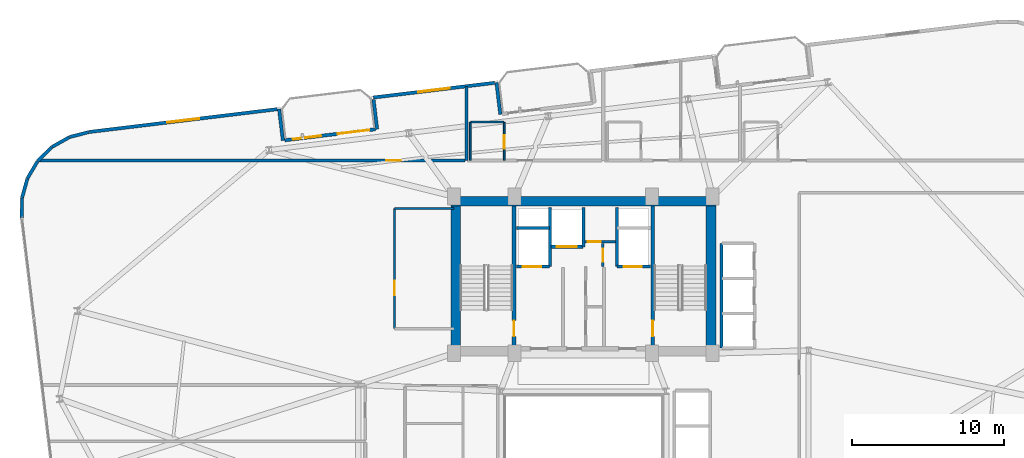
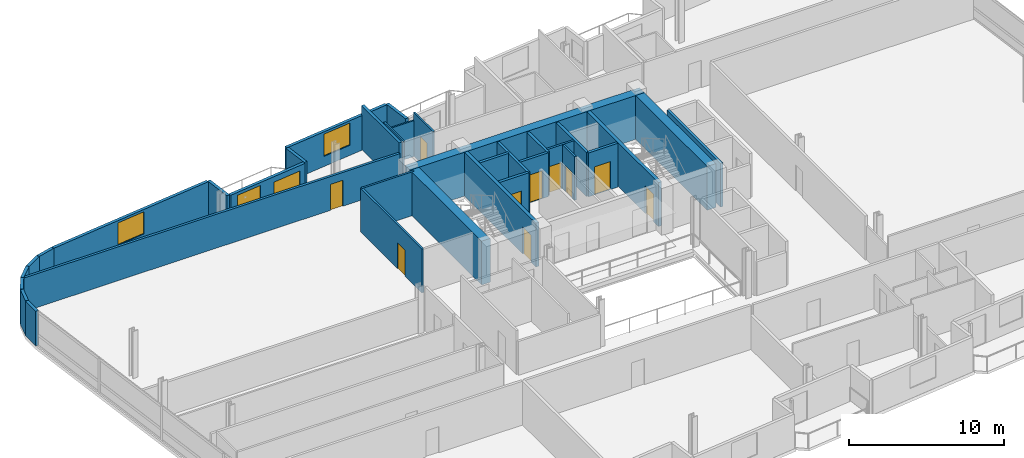
# One storey, part 17 of 23: 34 walls, 11 doors, 3 windows, 14 openings.
"""IFC4 building model written with IfcOpenShell, lengths in metres."""

from ifc_helpers import new_model, si_unit, direction, frame, frame_2d, origin, place, context, subcontext, project, spatial, rectangle, extrude, material, layer, layer_set, type_object, element, fill, save


model = new_model("IFC4")

# Units and contexts
model_context = context("Model", 3, precision=1e-05, world=origin(), true_north=direction((0.0, 1.0)))
body_context = subcontext(model_context, "Body", "Model", "MODEL_VIEW")
ifc_project = project(units=[si_unit("LENGTHUNIT", "METRE"), si_unit("AREAUNIT", "SQUARE_METRE"), si_unit("VOLUMEUNIT", "CUBIC_METRE"), si_unit("PLANEANGLEUNIT", "RADIAN"), si_unit("MASSUNIT", "GRAM", prefix="KILO")], contexts=[model_context])

# Site, building, storey
site_placement = place(None, origin())
site = spatial("IfcSite", under=ifc_project, at=site_placement, CompositionType="ELEMENT")
building_placement = place(site_placement, origin())
building = spatial("IfcBuilding", under=site, at=building_placement, Name="Varnelok Gate Tower", CompositionType="ELEMENT")
storey_placement = place(building_placement, frame((0.0, 0.0, 182.0)))
storey = spatial("IfcBuildingStorey", under=building, at=storey_placement, Name="L46", CompositionType="ELEMENT", Elevation=182.0)

# Wall, openings, door, window
ifc_material_1 = material(Name="Concrete C45/55", Category="concrete")
ifc_layer_1 = layer(ifc_material_1, 0.219970703125)
ifc_layer_set_1 = layer_set([ifc_layer_1], Name="Concrete C45/55")
wall_type_1 = type_object("IfcWallType", Name="EW-BALC-220", PredefinedType="SOLIDWALL", material=ifc_layer_set_1)
wall_1_placement = place(storey_placement, frame((19.556884765625, 42.7529296875, 0.0), z_axis=(0.0, 0.0, 1.0), x_axis=(0.992729951822, 0.120362962556, 0.0)))
wall_1 = element("IfcWall", 1, at=wall_1_placement, inside=storey, type_object=wall_type_1, Name="L46 North Terrace Envelope Wall 4", PredefinedType="SOLIDWALL", context=body_context, shape_type="SweptSolid", body=[
    extrude(rectangle(XDim=6.0, YDim=0.219970703125, at=frame_2d((3.0, 0.0))), origin(), (0.0, 0.0, 1.0), 2.72998046875),
])
opening_1_placement = place(wall_1_placement, frame((3.5, 0.0, 0.0)))
opening_1 = element("IfcOpeningElement", 2, at=opening_1_placement, cuts=wall_1, Name="Opening BD-2", PredefinedType="OPENING", context=body_context, shape_type="SweptSolid", body=[
    extrude(rectangle(XDim=2.10009765625, YDim=2.300048828125, at=frame_2d((1.050048828125, 1.14990234375))), frame((0.0, 0.119873046875, 0.0), z_axis=(0.0, -1.0, 0.0), x_axis=(1.0, 0.0, 0.0)), (0.0, 0.0, 1.0), 0.239990234375),
])
opening_2_placement = place(wall_1_placement, frame((0.550048828125, 0.0, 0.75)))
opening_2 = element("IfcOpeningElement", 3, at=opening_2_placement, cuts=wall_1, Name="Opening WN5", PredefinedType="OPENING", context=body_context, shape_type="SweptSolid", body=[
    extrude(rectangle(XDim=1.85009765625, YDim=1.75, at=frame_2d((0.925048828125, 0.875))), frame((0.0, 0.119873046875, 0.0), z_axis=(0.0, -1.0, 0.0), x_axis=(1.0, 0.0, 0.0)), (0.0, 0.0, 1.0), 0.239990234375),
])
ifc_material_2 = material(Name="Anodized Aluminum Alloy 6063-T6", Category="aluminium")
door_type_1 = type_object("IfcDoorType", Name="DR-EXT-SLID2100", OperationType="SLIDING_TO_LEFT", PredefinedType="DOOR", material=ifc_material_2)
door_1_placement = place(opening_1_placement, origin())
door_1 = element("IfcDoor", 4, at=door_1_placement, inside=storey, type_object=door_type_1, Name="L46 North Balcony Glazed Door 4", OperationType="SLIDING_TO_LEFT", OverallHeight=2.300048828125, OverallWidth=2.10009765625, PredefinedType="DOOR", context=body_context, shape_type="SweptSolid", body=[
    extrude(rectangle(XDim=2.10009765625, YDim=2.300048828125, at=frame_2d((1.050048828125, 1.14990234375))), frame((0.0, 0.02490234375, 0.0), z_axis=(0.0, -1.0, 0.0), x_axis=(1.0, 0.0, 0.0)), (0.0, 0.0, 1.0), 0.050048828125),
])
fill(opening_1, door_1)
ifc_material_3 = material(Name="Low-E Laminated Double Glazing IGU", Category="glass")
window_type_1 = type_object("IfcWindowType", Name="WN-RES-1850", PartitioningType="SINGLE_PANEL", PredefinedType="WINDOW", material=ifc_material_3)
window_1_placement = place(opening_2_placement, origin())
window_1 = element("IfcWindow", 5, at=window_1_placement, inside=storey, type_object=window_type_1, Name="L46 North Vision Window 4.1", OverallHeight=1.75, OverallWidth=1.85009765625, PartitioningType="SINGLE_PANEL", PredefinedType="WINDOW", context=body_context, shape_type="SweptSolid", body=[
    extrude(rectangle(XDim=1.85009765625, YDim=1.75, at=frame_2d((0.925048828125, 0.875))), frame((0.0, 0.030029296875, 0.0), z_axis=(0.0, -1.0, 0.0), x_axis=(1.0, 0.0, 0.0)), (0.0, 0.0, 1.0), 0.06005859375),
])
fill(opening_2, window_1)

# Wall
wall_2_placement = place(storey_placement, frame((33.734375, 44.46142578125, 0.0), z_axis=(0.0, 0.0, 1.0), x_axis=(-0.120327895535, 0.992734202874, 0.0)))
element("IfcWall", 6, at=wall_2_placement, inside=storey, type_object=wall_type_1, Name="L46 Perimeter Facade Closure Wall 34", PredefinedType="SOLIDWALL", context=body_context, shape_type="SweptSolid", body=[
    extrude(rectangle(XDim=2.099853515625, YDim=0.219970703125, at=frame_2d((1.0498046875, 0.0))), origin(), (0.0, 0.0, 1.0), 2.72998046875),
])

# Wall, opening, window
wall_3_placement = place(storey_placement, frame((33.357421875, 46.53125, 0.0), z_axis=(0.0, 0.0, 1.0), x_axis=(-0.992731032022, -0.120354052946, 0.0)))
wall_3 = element("IfcWall", 7, at=wall_3_placement, inside=storey, type_object=wall_type_1, Name="L46 Perimeter Facade Closure Wall 35", PredefinedType="SOLIDWALL", context=body_context, shape_type="SweptSolid", body=[
    extrude(rectangle(XDim=8.034912109375, YDim=0.219970703125, at=frame_2d((4.017578125, 0.0))), origin(), (0.0, 0.0, 1.0), 2.72998046875),
])
opening_3_placement = place(wall_3_placement, frame((2.967529296875, 0.0, 0.800048828125)))
opening_3 = element("IfcOpeningElement", 8, at=opening_3_placement, cuts=wall_3, Name="Opening WN4", PredefinedType="OPENING", context=body_context, shape_type="SweptSolid", body=[
    extrude(rectangle(XDim=2.10009765625, YDim=1.75, at=frame_2d((1.050048828125, 0.875))), frame((0.0, 0.119873046875, 0.0), z_axis=(0.0, -1.0, 0.0), x_axis=(1.0, 0.0, 0.0)), (0.0, 0.0, 1.0), 0.239990234375),
])
window_type_2 = type_object("IfcWindowType", Name="WN-SUI-2100", PartitioningType="SINGLE_PANEL", PredefinedType="WINDOW", material=ifc_material_3)
window_2_placement = place(opening_3_placement, origin())
window_2 = element("IfcWindow", 9, at=window_2_placement, inside=storey, type_object=window_type_2, Name="L46 Perimeter Vision Window 35", OverallHeight=1.75, OverallWidth=2.10009765625, PartitioningType="SINGLE_PANEL", PredefinedType="WINDOW", context=body_context, shape_type="SweptSolid", body=[
    extrude(rectangle(XDim=2.10009765625, YDim=1.75, at=frame_2d((1.050048828125, 0.875))), frame((0.0, 0.030029296875, 0.0), z_axis=(0.0, -1.0, 0.0), x_axis=(1.0, 0.0, 0.0)), (0.0, 0.0, 1.0), 0.06005859375),
])
fill(opening_3, window_2)

# Walls
wall_4_placement = place(storey_placement, frame((25.39599609375, 45.440185546875, 0.0), z_axis=(0.0, 0.0, 1.0), x_axis=(0.120275992932, -0.992740492538, 0.0)))
element("IfcWall", 10, at=wall_4_placement, inside=storey, type_object=wall_type_1, Name="L46 Perimeter Facade Closure Wall 36", PredefinedType="SOLIDWALL", context=body_context, shape_type="SweptSolid", body=[
    extrude(rectangle(XDim=1.97509765625, YDim=0.219970703125, at=frame_2d((0.987548828125, 0.0))), origin(), (0.0, 0.0, 1.0), 2.72998046875),
])
wall_5_placement = place(storey_placement, frame((19.43896484375, 42.728515625, 0.0), z_axis=(0.0, 0.0, 1.0), x_axis=(-0.120327895535, 0.992734202874, 0.0)))
element("IfcWall", 11, at=wall_5_placement, inside=storey, type_object=wall_type_1, Name="L46 Perimeter Facade Closure Wall 37", PredefinedType="SOLIDWALL", context=body_context, shape_type="SweptSolid", body=[
    extrude(rectangle(XDim=2.099853515625, YDim=0.219970703125, at=frame_2d((1.0498046875, 0.0))), origin(), (0.0, 0.0, 1.0), 2.72998046875),
])

# Wall, opening, window
wall_6_placement = place(storey_placement, frame((19.06201171875, 44.798095703125, 0.0), z_axis=(0.0, 0.0, 1.0), x_axis=(-0.992733569027, -0.120333124809, 0.0)))
wall_6 = element("IfcWall", 12, at=wall_6_placement, inside=storey, type_object=wall_type_1, Name="L46 Perimeter Facade Closure Wall 38", PredefinedType="SOLIDWALL", context=body_context, shape_type="SweptSolid", body=[
    extrude(rectangle(XDim=12.447021484375, YDim=0.219970703125, at=frame_2d((6.2236328125, 0.0))), origin(), (0.0, 0.0, 1.0), 2.72998046875),
])
opening_4_placement = place(wall_6_placement, frame((5.173583984375, 0.0, 0.800048828125)))
opening_4 = element("IfcOpeningElement", 13, at=opening_4_placement, cuts=wall_6, Name="Opening WN4", PredefinedType="OPENING", context=body_context, shape_type="SweptSolid", body=[
    extrude(rectangle(XDim=2.10009765625, YDim=1.75, at=frame_2d((1.050048828125, 0.875))), frame((0.0, 0.119873046875, 0.0), z_axis=(0.0, -1.0, 0.0), x_axis=(1.0, 0.0, 0.0)), (0.0, 0.0, 1.0), 0.239990234375),
])
window_3_placement = place(opening_4_placement, origin())
window_3 = element("IfcWindow", 14, at=window_3_placement, inside=storey, type_object=window_type_2, Name="L46 Perimeter Vision Window 38", OverallHeight=1.75, OverallWidth=2.10009765625, PartitioningType="SINGLE_PANEL", PredefinedType="WINDOW", context=body_context, shape_type="SweptSolid", body=[
    extrude(rectangle(XDim=2.10009765625, YDim=1.75, at=frame_2d((1.050048828125, 0.875))), frame((0.0, 0.030029296875, 0.0), z_axis=(0.0, -1.0, 0.0), x_axis=(1.0, 0.0, 0.0)), (0.0, 0.0, 1.0), 0.06005859375),
])
fill(opening_4, window_3)

# Walls
wall_7_placement = place(storey_placement, frame((6.68115234375, 43.294189453125, 0.0), z_axis=(0.0, 0.0, 1.0), x_axis=(-0.968496788899, -0.2490260426, 0.0)))
element("IfcWall", 15, at=wall_7_placement, inside=storey, type_object=wall_type_1, Name="L46 Perimeter Facade Closure Wall 39", PredefinedType="SOLIDWALL", context=body_context, shape_type="SweptSolid", body=[
    extrude(rectangle(XDim=1.308837890625, YDim=0.219970703125, at=frame_2d((0.654296875, 0.0))), origin(), (0.0, 0.0, 1.0), 2.72998046875),
])
for number, where, z_axis, x_axis, name in (
    (16, (5.391845703125, 42.9560546875, 0.0), (0.0, 0.0, 1.0), (-0.87105877335, -0.491178799797, 0.0), "L46 Perimeter Facade Closure Wall 40"),
    (17, (4.24072265625, 42.299560546875, 0.0), (0.0, 0.0, 1.0), (-0.714389219205, -0.699748557329, 0.0), "L46 Perimeter Facade Closure Wall 41"),
):
    element("IfcWall", number, at=place(storey_placement, frame(where, z_axis=z_axis, x_axis=x_axis)), inside=storey, type_object=wall_type_1, Name=name, PredefinedType="SOLIDWALL", context=body_context, shape_type="SweptSolid", body=[
        extrude(rectangle(XDim=1.30078125, YDim=0.219970703125, at=frame_2d((0.650390625, 0.0))), origin(), (0.0, 0.0, 1.0), 2.72998046875),
    ])
wall_8_placement = place(storey_placement, frame((3.298583984375, 41.367919921875, 0.0), z_axis=(0.0, 0.0, 1.0), x_axis=(-0.508716668029, -0.860933999601, 0.0)))
element("IfcWall", 18, at=wall_8_placement, inside=storey, type_object=wall_type_1, Name="L46 Perimeter Facade Closure Wall 42", PredefinedType="SOLIDWALL", context=body_context, shape_type="SweptSolid", body=[
    extrude(rectangle(XDim=1.301025390625, YDim=0.219970703125, at=frame_2d((0.650390625, 0.0))), origin(), (0.0, 0.0, 1.0), 2.72998046875),
])
for number, where, z_axis, x_axis, name in (
    (19, (2.630126953125, 40.223876953125, 0.0), (0.0, 0.0, 1.0), (-0.26876657226, -0.963205341366, 0.0), "L46 Perimeter Facade Closure Wall 43"),
    (20, (2.2802734375, 38.94580078125, 0.0), (0.0, 0.0, 1.0), (-0.01013461463, -0.999948643474, 0.0), "L46 Perimeter Facade Closure Wall 44"),
):
    element("IfcWall", number, at=place(storey_placement, frame(where, z_axis=z_axis, x_axis=x_axis)), inside=storey, type_object=wall_type_1, Name=name, PredefinedType="SOLIDWALL", context=body_context, shape_type="SweptSolid", body=[
        extrude(rectangle(XDim=1.30078125, YDim=0.219970703125, at=frame_2d((0.650390625, 0.0))), origin(), (0.0, 0.0, 1.0), 2.72998046875),
    ])

# Wall, opening, door
ifc_material_4 = material(Name="Gypsum Plasterboard Acoustic Partition", Category="gypsum")
ifc_layer_2 = layer(ifc_material_4, 0.179931640625)
ifc_layer_set_2 = layer_set([ifc_layer_2], Name="Gypsum Plasterboard Acoustic Partition")
wall_type_2 = type_object("IfcWallType", Name="PW-CORR-180", PredefinedType="PARTITIONING", material=ifc_layer_set_2)
wall_9_placement = place(storey_placement, frame((3.39306640625, 41.429931640625, 0.0), z_axis=(0.0, 0.0, 1.0), x_axis=(1.0, 0.0, 0.0)))
wall_9 = element("IfcWall", 21, at=wall_9_placement, inside=storey, type_object=wall_type_2, Name="Interior Partition", PredefinedType="PARTITIONING", context=body_context, shape_type="SweptSolid", body=[
    extrude(rectangle(XDim=28.02685546875, YDim=0.179931640625, at=frame_2d((14.013427734375, 0.0))), origin(), (0.0, 0.0, 1.0), 2.662109375),
])
opening_5_placement = place(wall_9_placement, frame((22.83203125, 0.0, 0.0)))
opening_5 = element("IfcOpeningElement", 22, at=opening_5_placement, cuts=wall_9, Name="Opening D-I2", PredefinedType="OPENING", context=body_context, shape_type="SweptSolid", body=[
    extrude(rectangle(XDim=0.949951171875, YDim=2.050048828125, at=frame_2d((0.47509765625, 1.02490234375))), frame((0.0, 0.099853515625, 0.0), z_axis=(0.0, -1.0, 0.0), x_axis=(1.0, 0.0, 0.0)), (0.0, 0.0, 1.0), 0.199951171875),
])
ifc_material_5 = material(Name="Engineered Hardwood Timber", Category="wood")
door_type_2 = type_object("IfcDoorType", Name="DR-INT-950", OperationType="NOTDEFINED", PredefinedType="DOOR", material=ifc_material_5)
door_2_placement = place(opening_5_placement, origin())
door_2 = element("IfcDoor", 23, at=door_2_placement, inside=storey, type_object=door_type_2, Name="L46 Sky Library Door", OperationType="SINGLE_SWING_LEFT", OverallHeight=2.050048828125, OverallWidth=0.949951171875, PredefinedType="DOOR", context=body_context, shape_type="SweptSolid", body=[
    extrude(rectangle(XDim=0.949951171875, YDim=2.050048828125, at=frame_2d((0.47509765625, 1.02490234375))), frame((0.0, 0.02490234375, 0.0), z_axis=(0.0, -1.0, 0.0), x_axis=(1.0, 0.0, 0.0)), (0.0, 0.0, 1.0), 0.050048828125),
])
fill(opening_5, door_2)

# Wall
ifc_layer_3 = layer(ifc_material_4, 0.114990234375)
ifc_layer_set_3 = layer_set([ifc_layer_3], Name="Gypsum Plasterboard Acoustic Partition")
wall_type_3 = type_object("IfcWallType", Name="PW-ENS-125", PredefinedType="PARTITIONING", material=ifc_layer_set_3)
wall_10_placement = place(storey_placement, frame((31.800048828125, 43.949951171875, 0.0), z_axis=(0.0, 0.0, 1.0), x_axis=(1.0, 0.0, 0.0)))
element("IfcWall", 24, at=wall_10_placement, inside=storey, type_object=wall_type_3, Name="Interior Partition", PredefinedType="PARTITIONING", context=body_context, shape_type="SweptSolid", body=[
    extrude(rectangle(XDim=2.14990234375, YDim=0.114990234375, at=frame_2d((1.074951171875, 0.0))), origin(), (0.0, 0.0, 1.0), 2.823974609375),
])

# Wall, opening, door
wall_11_placement = place(storey_placement, frame((33.989990234375, 41.429931640625, 0.0), z_axis=(0.0, 0.0, 1.0), x_axis=(0.0, 1.0, 0.0)))
wall_11 = element("IfcWall", 25, at=wall_11_placement, inside=storey, type_object=wall_type_3, Name="Interior Partition", PredefinedType="PARTITIONING", context=body_context, shape_type="SweptSolid", body=[
    extrude(rectangle(XDim=2.52001953125, YDim=0.114990234375, at=frame_2d((1.260009765625, 0.0))), origin(), (0.0, 0.0, 1.0), 3.449951171875),
])
opening_6_placement = place(wall_11_placement, frame((0.760009765625, 0.0, 0.0)))
opening_6 = element("IfcOpeningElement", 26, at=opening_6_placement, cuts=wall_11, Name="Opening D-WC", PredefinedType="OPENING", context=body_context, shape_type="SweptSolid", body=[
    extrude(rectangle(XDim=0.89990234375, YDim=2.050048828125, at=frame_2d((0.449951171875, 1.02490234375))), frame((0.0, 0.0673828125, 0.0), z_axis=(0.0, -1.0, 0.0), x_axis=(1.0, 0.0, 0.0)), (0.0, 0.0, 1.0), 0.135009765625),
])
door_type_3 = type_object("IfcDoorType", Name="DR-BATH-900", OperationType="NOTDEFINED", PredefinedType="DOOR", material=ifc_material_5)
door_3_placement = place(opening_6_placement, origin())
door_3 = element("IfcDoor", 27, at=door_3_placement, inside=storey, type_object=door_type_3, Name="L46 North En-Suite 06 Door", OperationType="SINGLE_SWING_RIGHT", OverallHeight=2.050048828125, OverallWidth=0.89990234375, PredefinedType="DOOR", context=body_context, shape_type="SweptSolid", body=[
    extrude(rectangle(XDim=0.89990234375, YDim=2.050048828125, at=frame_2d((0.449951171875, 1.02490234375))), frame((0.0, 0.02490234375, 0.0), z_axis=(0.0, -1.0, 0.0), x_axis=(1.0, 0.0, 0.0)), (0.0, 0.0, 1.0), 0.050048828125),
])
fill(opening_6, door_3)

# Wall
wall_12_placement = place(storey_placement, frame((31.760009765625, 41.429931640625, 0.0), z_axis=(0.0, 0.0, 1.0), x_axis=(0.0, 1.0, 0.0)))
element("IfcWall", 28, at=wall_12_placement, inside=storey, type_object=wall_type_3, Name="Interior Partition", PredefinedType="PARTITIONING", context=body_context, shape_type="SweptSolid", body=[
    extrude(rectangle(XDim=2.52001953125, YDim=0.114990234375, at=frame_2d((1.260009765625, 0.0))), origin(), (0.0, 0.0, 1.0), 3.449951171875),
])

# Wall, opening, door
ifc_layer_4 = layer(ifc_material_4, 0.14990234375)
ifc_layer_set_4 = layer_set([ifc_layer_4], Name="Gypsum Plasterboard Acoustic Partition")
wall_type_4 = type_object("IfcWallType", Name="PW-PART-150", PredefinedType="PARTITIONING", material=ifc_layer_set_4)
wall_13_placement = place(storey_placement, frame((39.300048828125, 36.080078125, 0.0), z_axis=(0.0, 0.0, 1.0), x_axis=(1.0, 0.0, 0.0)))
wall_13 = element("IfcWall", 29, at=wall_13_placement, inside=storey, type_object=wall_type_4, Name="L46 Electrical Closet South Wall", PredefinedType="PARTITIONING", context=body_context, shape_type="SweptSolid", body=[
    extrude(rectangle(XDim=2.02001953125, YDim=0.14990234375, at=frame_2d((1.010009765625, 0.0))), origin(), (0.0, 0.0, 1.0), 3.449951171875),
])
opening_7_placement = place(wall_13_placement, frame((0.179931640625, 0.0, 0.0)))
opening_7 = element("IfcOpeningElement", 30, at=opening_7_placement, cuts=wall_13, Name="Opening D-RS", PredefinedType="OPENING", context=body_context, shape_type="SweptSolid", body=[
    extrude(rectangle(XDim=0.85009765625, YDim=2.050048828125, at=frame_2d((0.425048828125, 1.02490234375))), frame((0.0, 0.0849609375, 0.0), z_axis=(0.0, -1.0, 0.0), x_axis=(1.0, 0.0, 0.0)), (0.0, 0.0, 1.0), 0.169921875),
])
ifc_material_6 = material(Name="Galvanized Steel Grade S350GD", Category="steel")
door_type_4 = type_object("IfcDoorType", Name="DR-RISER-850", OperationType="NOTDEFINED", PredefinedType="DOOR", material=ifc_material_6)
door_4_placement = place(opening_7_placement, origin())
door_4 = element("IfcDoor", 31, at=door_4_placement, inside=storey, type_object=door_type_4, Name="L46 Electrical Closet Door", OperationType="SINGLE_SWING_RIGHT", OverallHeight=2.050048828125, OverallWidth=0.85009765625, PredefinedType="DOOR", context=body_context, shape_type="SweptSolid", body=[
    extrude(rectangle(XDim=0.85009765625, YDim=2.050048828125, at=frame_2d((0.425048828125, 1.02490234375))), frame((0.0, 0.02490234375, 0.0), z_axis=(0.0, -1.0, 0.0), x_axis=(1.0, 0.0, 0.0)), (0.0, 0.0, 1.0), 0.050048828125),
])
fill(opening_7, door_4)

wall_14_placement = place(storey_placement, frame((40.47998046875, 34.43994140625, 0.0), z_axis=(0.0, 0.0, 1.0), x_axis=(0.0, 1.0, 0.0)))
wall_14 = element("IfcWall", 32, at=wall_14_placement, inside=storey, type_object=wall_type_4, Name="L46 Telecoms Closet West Wall", PredefinedType="PARTITIONING", context=body_context, shape_type="SweptSolid", body=[
    extrude(rectangle(XDim=1.52001953125, YDim=0.14990234375, at=frame_2d((0.760009765625, 0.0))), origin(), (0.0, 0.0, 1.0), 3.449951171875),
])
opening_8_placement = place(wall_14_placement, frame((0.320068359375, 0.0, 0.0)))
opening_8 = element("IfcOpeningElement", 33, at=opening_8_placement, cuts=wall_14, Name="Opening D-RS", PredefinedType="OPENING", context=body_context, shape_type="SweptSolid", body=[
    extrude(rectangle(XDim=0.85009765625, YDim=2.050048828125, at=frame_2d((0.425048828125, 1.02490234375))), frame((0.0, 0.0849609375, 0.0), z_axis=(0.0, -1.0, 0.0), x_axis=(1.0, 0.0, 0.0)), (0.0, 0.0, 1.0), 0.169921875),
])
door_5_placement = place(opening_8_placement, origin())
door_5 = element("IfcDoor", 34, at=door_5_placement, inside=storey, type_object=door_type_4, Name="L46 Telecoms Closet Door", OperationType="SINGLE_SWING_LEFT", OverallHeight=2.050048828125, OverallWidth=0.85009765625, PredefinedType="DOOR", context=body_context, shape_type="SweptSolid", body=[
    extrude(rectangle(XDim=0.85009765625, YDim=2.050048828125, at=frame_2d((0.425048828125, 1.02490234375))), frame((0.0, 0.02490234375, 0.0), z_axis=(0.0, -1.0, 0.0), x_axis=(1.0, 0.0, 0.0)), (0.0, 0.0, 1.0), 0.050048828125),
])
fill(opening_8, door_5)

# Wall
wall_15_placement = place(storey_placement, frame((26.780029296875, 38.260009765625, 0.0), z_axis=(0.0, 0.0, 1.0), x_axis=(1.0, 0.0, 0.0)))
element("IfcWall", 35, at=wall_15_placement, inside=storey, type_object=wall_type_4, Name="Interior Partition", PredefinedType="PARTITIONING", context=body_context, shape_type="SweptSolid", body=[
    extrude(rectangle(XDim=3.89990234375, YDim=0.14990234375, at=frame_2d((1.949951171875, 0.0))), origin(), (0.0, 0.0, 1.0), 3.449951171875),
])

# Wall, opening, door
wall_16_placement = place(storey_placement, frame((26.780029296875, 30.360107421875, 0.0), z_axis=(0.0, 0.0, 1.0), x_axis=(0.0, 1.0, 0.0)))
wall_16 = element("IfcWall", 36, at=wall_16_placement, inside=storey, type_object=wall_type_4, Name="Interior Partition", PredefinedType="PARTITIONING", context=body_context, shape_type="SweptSolid", body=[
    extrude(rectangle(XDim=7.89990234375, YDim=0.14990234375, at=frame_2d((3.949951171875, 0.0))), origin(), (0.0, 0.0, 1.0), 3.449951171875),
])
opening_9_placement = place(wall_16_placement, frame((2.199951171875, 0.0, 0.0)))
opening_9 = element("IfcOpeningElement", 37, at=opening_9_placement, cuts=wall_16, Name="Opening D-I2", PredefinedType="OPENING", context=body_context, shape_type="SweptSolid", body=[
    extrude(rectangle(XDim=0.949951171875, YDim=2.050048828125, at=frame_2d((0.47509765625, 1.02490234375))), frame((0.0, 0.0849609375, 0.0), z_axis=(0.0, -1.0, 0.0), x_axis=(1.0, 0.0, 0.0)), (0.0, 0.0, 1.0), 0.169921875),
])
door_6_placement = place(opening_9_placement, origin())
door_6 = element("IfcDoor", 38, at=door_6_placement, inside=storey, type_object=door_type_2, Name="L46 Core Valet Door", OperationType="SINGLE_SWING_RIGHT", OverallHeight=2.050048828125, OverallWidth=0.949951171875, PredefinedType="DOOR", context=body_context, shape_type="SweptSolid", body=[
    extrude(rectangle(XDim=0.949951171875, YDim=2.050048828125, at=frame_2d((0.47509765625, 1.02490234375))), frame((0.0, 0.02490234375, 0.0), z_axis=(0.0, -1.0, 0.0), x_axis=(1.0, 0.0, 0.0)), (0.0, 0.0, 1.0), 0.050048828125),
])
fill(opening_9, door_6)

# Wall
ifc_layer_5 = layer(ifc_material_4, 0.205078125)
ifc_layer_set_5 = layer_set([ifc_layer_5], Name="Gypsum Plasterboard Acoustic Partition")
wall_type_5 = type_object("IfcWallType", Name="PW-PARTY-200", PredefinedType="PARTITIONING", material=ifc_layer_set_5)
wall_17_placement = place(storey_placement, frame((31.5, 41.429931640625, 0.0), z_axis=(0.0, 0.0, 1.0), x_axis=(0.0, 1.0, 0.0)))
element("IfcWall", 39, at=wall_17_placement, inside=storey, type_object=wall_type_5, Name="L46 North Party Wall 1", PredefinedType="PARTITIONING", context=body_context, shape_type="SweptSolid", body=[
    extrude(rectangle(XDim=4.85595703125, YDim=0.205078125, at=frame_2d((2.427978515625, 0.0))), origin(), (0.0, 0.0, 1.0), 3.449951171875),
])

# Wall, opening, door
ifc_material_7 = material(Name="Concrete C35/45", Category="concrete")
ifc_layer_6 = layer(ifc_material_7, 0.199951171875)
ifc_layer_set_6 = layer_set([ifc_layer_6], Name="Concrete C35/45")
wall_type_6 = type_object("IfcWallType", Name="PW-SHAFT-200", PredefinedType="PARTITIONING", material=ifc_layer_set_6)
wall_18_placement = place(storey_placement, frame((34.800048828125, 34.43994140625, 0.0), z_axis=(0.0, 0.0, 1.0), x_axis=(1.0, 0.0, 0.0)))
wall_18 = element("IfcWall", 40, at=wall_18_placement, inside=storey, type_object=wall_type_6, Name="L46 FF1 Shaft Front Wall", PredefinedType="PARTITIONING", context=body_context, shape_type="SweptSolid", body=[
    extrude(rectangle(XDim=2.179931640625, YDim=0.199951171875, at=frame_2d((1.08984375, 0.0))), origin(), (0.0, 0.0, 1.0), 3.449951171875),
])
opening_10_placement = place(wall_18_placement, frame((0.419921875, 0.0, 0.0)))
opening_10 = element("IfcOpeningElement", 41, at=opening_10_placement, cuts=wall_18, Name="Opening LD-FF1", PredefinedType="OPENING", context=body_context, shape_type="SweptSolid", body=[
    extrude(rectangle(XDim=1.199951171875, YDim=2.199951171875, at=frame_2d((0.60009765625, 1.10009765625))), frame((0.0, 0.10986328125, 0.0), z_axis=(0.0, -1.0, 0.0), x_axis=(1.0, 0.0, 0.0)), (0.0, 0.0, 1.0), 0.219970703125),
])
door_type_5 = type_object("IfcDoorType", Name="DR-LIFT-FF1200", OperationType="SLIDING_TO_LEFT", PredefinedType="DOOR", material=ifc_material_6)
door_7_placement = place(opening_10_placement, origin())
door_7 = element("IfcDoor", 42, at=door_7_placement, inside=storey, type_object=door_type_5, Name="L46 Firefighting Lift Landing Door LD-FF1", OperationType="SLIDING_TO_LEFT", OverallHeight=2.199951171875, OverallWidth=1.199951171875, PredefinedType="DOOR", context=body_context, shape_type="SweptSolid", body=[
    extrude(rectangle(XDim=1.199951171875, YDim=2.199951171875, at=frame_2d((0.60009765625, 1.10009765625))), frame((0.0, 0.02490234375, 0.0), z_axis=(0.0, -1.0, 0.0), x_axis=(1.0, 0.0, 0.0)), (0.0, 0.0, 1.0), 0.050048828125),
])
fill(opening_10, door_7)

# Walls
wall_19_placement = place(storey_placement, frame((34.800048828125, 36.97998046875, 0.0), z_axis=(0.0, 0.0, 1.0), x_axis=(1.0, 0.0, 0.0)))
element("IfcWall", 43, at=wall_19_placement, inside=storey, type_object=wall_type_6, Name="L46 FF1 Shaft North Wall", PredefinedType="PARTITIONING", context=body_context, shape_type="SweptSolid", body=[
    extrude(rectangle(XDim=2.179931640625, YDim=0.199951171875, at=frame_2d((1.08984375, 0.0))), origin(), (0.0, 0.0, 1.0), 3.449951171875),
])
wall_20_placement = place(storey_placement, frame((37.0, 34.43994140625, 0.0), z_axis=(0.0, 0.0, 1.0), x_axis=(0.0, 1.0, 0.0)))
element("IfcWall", 44, at=wall_20_placement, inside=storey, type_object=wall_type_6, Name="L46 FF1 Shaft Side Wall", PredefinedType="PARTITIONING", context=body_context, shape_type="SweptSolid", body=[
    extrude(rectangle(XDim=3.900146484375, YDim=0.199951171875, at=frame_2d((1.9501953125, 0.0))), origin(), (0.0, 0.0, 1.0), 3.449951171875),
])

# Wall, opening, door
wall_21_placement = place(storey_placement, frame((41.419921875, 34.43994140625, 0.0), z_axis=(0.0, 0.0, 1.0), x_axis=(1.0, 0.0, 0.0)))
wall_21 = element("IfcWall", 45, at=wall_21_placement, inside=storey, type_object=wall_type_6, Name="L46 FF2 Shaft Front Wall", PredefinedType="PARTITIONING", context=body_context, shape_type="SweptSolid", body=[
    extrude(rectangle(XDim=2.18017578125, YDim=0.199951171875, at=frame_2d((1.090087890625, 0.0))), origin(), (0.0, 0.0, 1.0), 3.449951171875),
])
opening_11_placement = place(wall_21_placement, frame((0.419921875, 0.0, 0.0)))
opening_11 = element("IfcOpeningElement", 46, at=opening_11_placement, cuts=wall_21, Name="Opening LD-FF2", PredefinedType="OPENING", context=body_context, shape_type="SweptSolid", body=[
    extrude(rectangle(XDim=1.199951171875, YDim=2.199951171875, at=frame_2d((0.60009765625, 1.10009765625))), frame((0.0, 0.10986328125, 0.0), z_axis=(0.0, -1.0, 0.0), x_axis=(1.0, 0.0, 0.0)), (0.0, 0.0, 1.0), 0.219970703125),
])
door_8_placement = place(opening_11_placement, origin())
door_8 = element("IfcDoor", 47, at=door_8_placement, inside=storey, type_object=door_type_5, Name="L46 Firefighting Lift Landing Door LD-FF2", OperationType="SLIDING_TO_LEFT", OverallHeight=2.199951171875, OverallWidth=1.199951171875, PredefinedType="DOOR", context=body_context, shape_type="SweptSolid", body=[
    extrude(rectangle(XDim=1.199951171875, YDim=2.199951171875, at=frame_2d((0.60009765625, 1.10009765625))), frame((0.0, 0.02490234375, 0.0), z_axis=(0.0, -1.0, 0.0), x_axis=(1.0, 0.0, 0.0)), (0.0, 0.0, 1.0), 0.050048828125),
])
fill(opening_11, door_8)

# Wall
wall_22_placement = place(storey_placement, frame((41.39990234375, 34.43994140625, 0.0), z_axis=(0.0, 0.0, 1.0), x_axis=(0.0, 1.0, 0.0)))
element("IfcWall", 48, at=wall_22_placement, inside=storey, type_object=wall_type_6, Name="L46 FF2 Shaft Side Wall", PredefinedType="PARTITIONING", context=body_context, shape_type="SweptSolid", body=[
    extrude(rectangle(XDim=3.900146484375, YDim=0.199951171875, at=frame_2d((1.9501953125, 0.0))), origin(), (0.0, 0.0, 1.0), 3.449951171875),
])

# Wall, opening, door
wall_23_placement = place(storey_placement, frame((37.06005859375, 35.75, 0.0), z_axis=(0.0, 0.0, 1.0), x_axis=(1.0, 0.0, 0.0)))
wall_23 = element("IfcWall", 49, at=wall_23_placement, inside=storey, type_object=wall_type_6, Name="L46 SV1 Shaft Front Wall", PredefinedType="PARTITIONING", context=body_context, shape_type="SweptSolid", body=[
    extrude(rectangle(XDim=2.119873046875, YDim=0.199951171875, at=frame_2d((1.06005859375, 0.0))), origin(), (0.0, 0.0, 1.0), 3.449951171875),
])
opening_12_placement = place(wall_23_placement, frame((0.39990234375, 0.0, 0.0)))
opening_12 = element("IfcOpeningElement", 50, at=opening_12_placement, cuts=wall_23, Name="Opening LD-SV1", PredefinedType="OPENING", context=body_context, shape_type="SweptSolid", body=[
    extrude(rectangle(XDim=1.300048828125, YDim=2.199951171875, at=frame_2d((0.64990234375, 1.10009765625))), frame((0.0, 0.10986328125, 0.0), z_axis=(0.0, -1.0, 0.0), x_axis=(1.0, 0.0, 0.0)), (0.0, 0.0, 1.0), 0.219970703125),
])
door_type_6 = type_object("IfcDoorType", Name="DR-LIFT-SV1300", OperationType="SLIDING_TO_LEFT", PredefinedType="DOOR", material=ifc_material_6)
door_9_placement = place(opening_12_placement, origin())
door_9 = element("IfcDoor", 51, at=door_9_placement, inside=storey, type_object=door_type_6, Name="L46 Service Lift Landing Door LD-SV1", OperationType="SLIDING_TO_LEFT", OverallHeight=2.199951171875, OverallWidth=1.300048828125, PredefinedType="DOOR", context=body_context, shape_type="SweptSolid", body=[
    extrude(rectangle(XDim=1.300048828125, YDim=2.199951171875, at=frame_2d((0.64990234375, 1.10009765625))), frame((0.0, 0.02490234375, 0.0), z_axis=(0.0, -1.0, 0.0), x_axis=(1.0, 0.0, 0.0)), (0.0, 0.0, 1.0), 0.050048828125),
])
fill(opening_12, door_9)

# Walls
wall_24_placement = place(storey_placement, frame((39.219970703125, 35.75, 0.0), z_axis=(0.0, 0.0, 1.0), x_axis=(0.0, 1.0, 0.0)))
element("IfcWall", 52, at=wall_24_placement, inside=storey, type_object=wall_type_6, Name="L46 SV1 Shaft East Wall", PredefinedType="PARTITIONING", context=body_context, shape_type="SweptSolid", body=[
    extrude(rectangle(XDim=2.590087890625, YDim=0.199951171875, at=frame_2d((1.294921875, 0.0))), origin(), (0.0, 0.0, 1.0), 3.449951171875),
])
wall_25_placement = place(storey_placement, frame((48.280029296875, 29.080078125, 0.0), z_axis=(0.0, 0.0, 1.0), x_axis=(0.0, 1.0, 0.0)))
element("IfcWall", 53, at=wall_25_placement, inside=storey, type_object=wall_type_6, Name="L46 PM Bank Back Wall", PredefinedType="PARTITIONING", context=body_context, shape_type="SweptSolid", body=[
    extrude(rectangle(XDim=6.889892578125, YDim=0.199951171875, at=frame_2d((3.44482421875, 0.0))), origin(), (0.0, 0.0, 1.0), 3.449951171875),
])
ifc_material_8 = material(Name="Concrete C60/75", Category="concrete")
ifc_layer_7 = layer(ifc_material_8, 0.64990234375)
ifc_layer_set_7 = layer_set([ifc_layer_7], Name="Concrete C60/75")
wall_type_7 = type_object("IfcWallType", Name="SW-CORE-650", PredefinedType="SHEAR", material=ifc_layer_set_7)
wall_26_placement = place(storey_placement, frame((30.47998046875, 38.7451171875, 0.0), z_axis=(0.0, 0.0, 1.0), x_axis=(1.0, 0.0, 0.0)))
element("IfcWall", 54, at=wall_26_placement, inside=storey, type_object=wall_type_7, Name="L46 Rear Core North Shear Wall", PredefinedType="SHEAR", context=body_context, shape_type="SweptSolid", body=[
    extrude(rectangle(XDim=17.43994140625, YDim=0.64990234375, at=frame_2d((8.719970703125, 0.0))), origin(), (0.0, 0.0, 1.0), 3.449951171875),
])
for number, where, z_axis, x_axis, name in (
    (55, (30.804931640625, 29.199951171875, 0.0), (0.0, 0.0, 1.0), (0.0, 1.0, 0.0), "L46 Rear Core West Shear Wall"),
    (56, (47.594970703125, 29.199951171875, 0.0), (0.0, 0.0, 1.0), (0.0, 1.0, 0.0), "L46 Rear Core East Shear Wall"),
):
    element("IfcWall", number, at=place(storey_placement, frame(where, z_axis=z_axis, x_axis=x_axis)), inside=storey, type_object=wall_type_7, Name=name, PredefinedType="SHEAR", context=body_context, shape_type="SweptSolid", body=[
        extrude(rectangle(XDim=9.219970703125, YDim=0.64990234375, at=frame_2d((4.60986328125, 0.0))), origin(), (0.0, 0.0, 1.0), 3.449951171875),
    ])

# Wall, opening, door
ifc_layer_8 = layer(ifc_material_8, 0.25)
ifc_layer_set_8 = layer_set([ifc_layer_8], Name="Concrete C60/75")
wall_type_8 = type_object("IfcWallType", Name="SW-SHAFT-250", PredefinedType="SHEAR", material=ifc_layer_set_8)
wall_27_placement = place(storey_placement, frame((34.639892578125, 29.199951171875, 0.0), z_axis=(0.0, 0.0, 1.0), x_axis=(0.0, 1.0, 0.0)))
wall_27 = element("IfcWall", 57, at=wall_27_placement, inside=storey, type_object=wall_type_8, Name="L46 Stair ST-1 East Shear Wall", PredefinedType="SHEAR", context=body_context, shape_type="SweptSolid", body=[
    extrude(rectangle(XDim=9.219970703125, YDim=0.25, at=frame_2d((4.60986328125, 0.0))), origin(), (0.0, 0.0, 1.0), 3.449951171875),
])
opening_13_placement = place(wall_27_placement, frame((0.64990234375, 0.0, 0.0)))
opening_13 = element("IfcOpeningElement", 58, at=opening_13_placement, cuts=wall_27, Name="Opening D-ST", PredefinedType="OPENING", context=body_context, shape_type="SweptSolid", body=[
    extrude(rectangle(XDim=1.050048828125, YDim=2.14990234375, at=frame_2d((0.52490234375, 1.074951171875))), frame((0.0, 0.135009765625, 0.0), z_axis=(0.0, -1.0, 0.0), x_axis=(1.0, 0.0, 0.0)), (0.0, 0.0, 1.0), 0.27001953125),
])
door_type_7 = type_object("IfcDoorType", Name="DR-STAIR-1050", OperationType="NOTDEFINED", PredefinedType="DOOR", material=ifc_material_6)
door_10_placement = place(opening_13_placement, origin())
door_10 = element("IfcDoor", 59, at=door_10_placement, inside=storey, type_object=door_type_7, Name="L46 Exit Stair ST-1 Fire Door", OperationType="SINGLE_SWING_LEFT", OverallHeight=2.14990234375, OverallWidth=1.050048828125, PredefinedType="DOOR", context=body_context, shape_type="SweptSolid", body=[
    extrude(rectangle(XDim=1.050048828125, YDim=2.14990234375, at=frame_2d((0.52490234375, 1.074951171875))), frame((0.0, 0.02490234375, 0.0), z_axis=(0.0, -1.0, 0.0), x_axis=(1.0, 0.0, 0.0)), (0.0, 0.0, 1.0), 0.050048828125),
])
fill(opening_13, door_10)

wall_28_placement = place(storey_placement, frame((43.760009765625, 29.199951171875, 0.0), z_axis=(0.0, 0.0, 1.0), x_axis=(0.0, 1.0, 0.0)))
wall_28 = element("IfcWall", 60, at=wall_28_placement, inside=storey, type_object=wall_type_8, Name="L46 Stair ST-2 West Shear Wall", PredefinedType="SHEAR", context=body_context, shape_type="SweptSolid", body=[
    extrude(rectangle(XDim=9.219970703125, YDim=0.25, at=frame_2d((4.60986328125, 0.0))), origin(), (0.0, 0.0, 1.0), 3.449951171875),
])
opening_14_placement = place(wall_28_placement, frame((0.64990234375, 0.0, 0.0)))
opening_14 = element("IfcOpeningElement", 61, at=opening_14_placement, cuts=wall_28, Name="Opening D-ST", PredefinedType="OPENING", context=body_context, shape_type="SweptSolid", body=[
    extrude(rectangle(XDim=1.050048828125, YDim=2.14990234375, at=frame_2d((0.52490234375, 1.074951171875))), frame((0.0, 0.135009765625, 0.0), z_axis=(0.0, -1.0, 0.0), x_axis=(1.0, 0.0, 0.0)), (0.0, 0.0, 1.0), 0.27001953125),
])
door_11_placement = place(opening_14_placement, origin())
door_11 = element("IfcDoor", 62, at=door_11_placement, inside=storey, type_object=door_type_7, Name="L46 Exit Stair ST-2 Fire Door", OperationType="SINGLE_SWING_RIGHT", OverallHeight=2.14990234375, OverallWidth=1.050048828125, PredefinedType="DOOR", context=body_context, shape_type="SweptSolid", body=[
    extrude(rectangle(XDim=1.050048828125, YDim=2.14990234375, at=frame_2d((0.52490234375, 1.074951171875))), frame((0.0, 0.02490234375, 0.0), z_axis=(0.0, -1.0, 0.0), x_axis=(1.0, 0.0, 0.0)), (0.0, 0.0, 1.0), 0.050048828125),
])
fill(opening_14, door_11)

save(model, "model.ifc")
